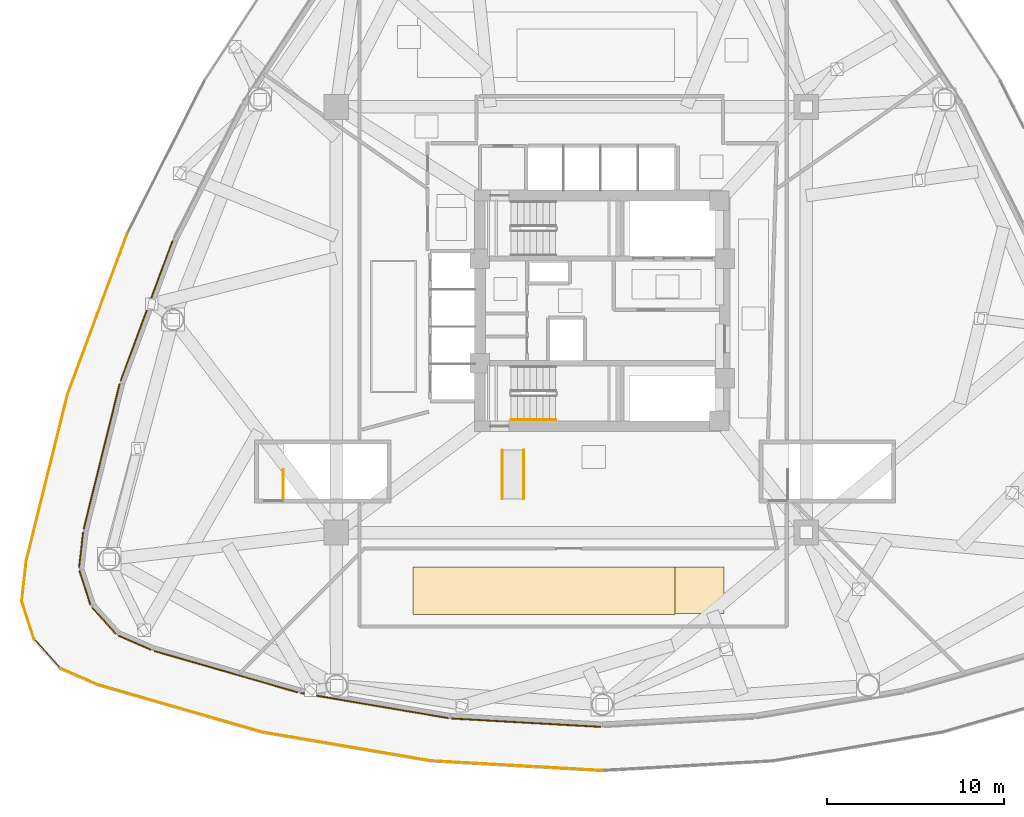
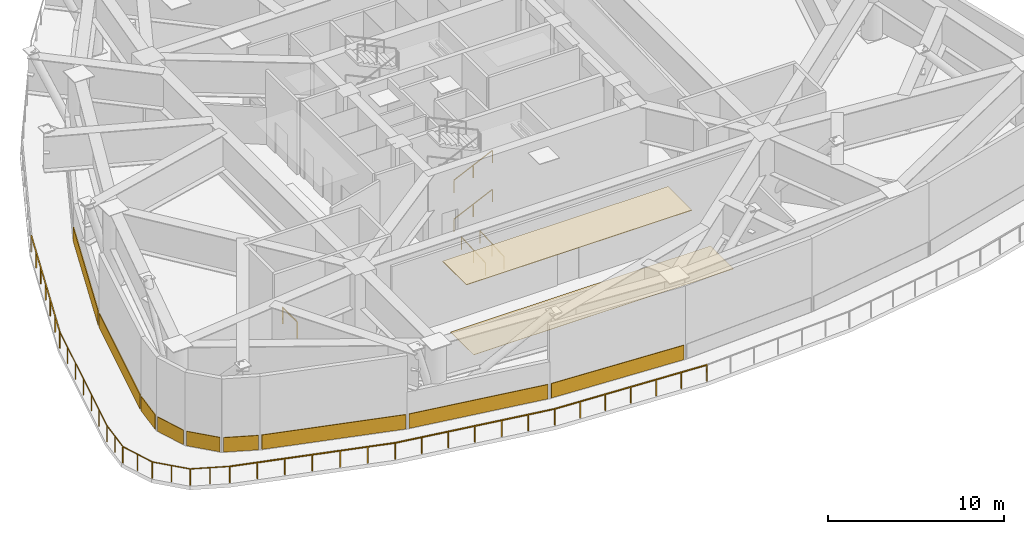
# One storey, part 6 of 9: 14 railings, 11 coverings.
"""IFC4 building model written with IfcOpenShell, lengths in metres."""

from ifc_helpers import new_model, si_unit, direction, frame, origin, origin_2d, place, context, subcontext, project, spatial, polyline, rectangle, outline, extrude, material, layer, layer_set, type_object, element, save


model = new_model("IFC4")

# Units and contexts
model_context = context("Model", 3, precision=1e-05, world=origin(), true_north=direction((0.0, 1.0)))
body_context = subcontext(model_context, "Body", "Model", "MODEL_VIEW")
ifc_project = project(units=[si_unit("LENGTHUNIT", "METRE"), si_unit("AREAUNIT", "SQUARE_METRE"), si_unit("VOLUMEUNIT", "CUBIC_METRE"), si_unit("PLANEANGLEUNIT", "RADIAN"), si_unit("MASSUNIT", "GRAM", prefix="KILO")], contexts=[model_context])

# Site, building, storey
site_placement = place(None, origin())
site = spatial("IfcSite", under=ifc_project, at=site_placement, CompositionType="ELEMENT")
building_placement = place(site_placement, origin())
building = spatial("IfcBuilding", under=site, at=building_placement, Name="Tavelor Broadcast Tower", CompositionType="ELEMENT")
storey_placement = place(building_placement, frame((0.0, 0.0, 22.199951171875)))
storey = spatial("IfcBuildingStorey", under=building, at=storey_placement, Name="L04", CompositionType="ELEMENT", Elevation=22.199951171875)

# Railings
ifc_material_1 = material(Name="Steel S355", Category="steel")
railing_type_1 = type_object("IfcRailingType", Name="Continuous Brushed Stainless Handrail 900 mm", PredefinedType="HANDRAIL", material=ifc_material_1)
railing_1_placement = place(storey_placement, frame((44.85009765625, 38.85009765625, 0.168701171875)))
element("IfcRailing", 1, at=railing_1_placement, inside=storey, type_object=railing_type_1, Name="L04 ST2 stair handrail 1", PredefinedType="HANDRAIL", context=body_context, shape_type="SweptSolid", body=[
    extrude(rectangle(XDim=0.048095703125, YDim=0.048095703125, at=origin_2d()), frame((0.0, 0.0, 0.8759765625), z_axis=(0.905439972488, 0.0, 0.424474329284), x_axis=(0.0, 1.0, 0.0)), (0.0, 0.0, 1.0), 2.783203125),
    extrude(rectangle(XDim=0.0419921875, YDim=0.0419921875, at=origin_2d()), origin(), (0.0, 0.0, 1.0), 0.851806640625),
    extrude(rectangle(XDim=0.0419921875, YDim=0.0419921875, at=origin_2d()), frame((1.260009765625, 0.0, 0.5908203125)), (0.0, 0.0, 1.0), 0.851806640625),
    extrude(rectangle(XDim=0.0419921875, YDim=0.0419921875, at=origin_2d()), frame((2.52001953125, 0.0, 1.181396484375)), (0.0, 0.0, 1.0), 0.851806640625),
])
railing_2_placement = place(storey_placement, frame((44.85009765625, 38.85009765625, 2.868896484375)))
element("IfcRailing", 2, at=railing_2_placement, inside=storey, type_object=railing_type_1, Name="L04 ST2 stair handrail 3", PredefinedType="HANDRAIL", context=body_context, shape_type="SweptSolid", body=[
    extrude(rectangle(XDim=0.048095703125, YDim=0.048095703125, at=origin_2d()), frame((0.0, 0.0, 0.8759765625), z_axis=(0.905473684625, 0.0, 0.424402410988), x_axis=(0.0, 1.0, 0.0)), (0.0, 0.0, 1.0), 2.783203125),
    extrude(rectangle(XDim=0.0419921875, YDim=0.0419921875, at=origin_2d()), origin(), (0.0, 0.0, 1.0), 0.851806640625),
    extrude(rectangle(XDim=0.0419921875, YDim=0.0419921875, at=origin_2d()), frame((1.260009765625, 0.0, 0.590576171875)), (0.0, 0.0, 1.0), 0.851806640625),
    extrude(rectangle(XDim=0.0419921875, YDim=0.0419921875, at=origin_2d()), frame((2.52001953125, 0.0, 1.18115234375)), (0.0, 0.0, 1.0), 0.851806640625),
])
for number, where, name in (
    (3, (44.35009765625, 34.39990234375, 0.0), "L04 Accessible Ramp Left Handrail"),
    (4, (45.570068359375, 34.39990234375, 0.0), "L04 Accessible Ramp Right Handrail"),
):
    element("IfcRailing", number, at=place(storey_placement, frame(where)), inside=storey, type_object=railing_type_1, Name=name, PredefinedType="HANDRAIL", context=body_context, shape_type="SweptSolid", body=[
        extrude(rectangle(XDim=0.048095703125, YDim=0.048095703125, at=origin_2d()), frame((0.0, 0.0, 0.8759765625), z_axis=(0.0, 0.998704123308, 0.050892770488), x_axis=(-1.0, 0.0, 0.0)), (0.0, 0.0, 1.0), 2.753662109375),
        extrude(rectangle(XDim=0.0419921875, YDim=0.0419921875, at=origin_2d()), origin(), (0.0, 0.0, 1.0), 0.851806640625),
        extrude(rectangle(XDim=0.0419921875, YDim=0.0419921875, at=origin_2d()), frame((0.0, 1.375, 0.070068359375)), (0.0, 0.0, 1.0), 0.851806640625),
        extrude(rectangle(XDim=0.0419921875, YDim=0.0419921875, at=origin_2d()), frame((0.0, 2.75, 0.14013671875)), (0.0, 0.0, 1.0), 0.851806640625),
    ])

# Covering
ifc_material_2 = material(Name="Acoustic Nylon Carpet Tile")
ifc_layer_1 = layer(ifc_material_2, 0.02001953125)
ifc_layer_set_1 = layer_set([ifc_layer_1], Name="Acoustic Nylon Carpet Tile")
covering_type_1 = type_object("IfcCoveringType", Name="Heavy-Duty Acoustic Broadcast Carpet Tile 20 mm", PredefinedType="FLOORING", material=ifc_layer_set_1)
covering_1_placement = place(storey_placement, origin())
element("IfcCovering", 5, at=covering_1_placement, inside=storey, type_object=covering_type_1, Name="L04 Broadcast Floor Finish 0047", PredefinedType="FLOORING", context=body_context, shape_type="SweptSolid", body=[
    extrude(outline(polyline([(39.833740234375, 27.930419921875), (56.8662109375, 27.930419921875), (56.8662109375, 30.544189453125), (39.833740234375, 30.544189453125), (39.833740234375, 27.930419921875)])), origin(), (0.0, 0.0, 1.0), 0.02001953125),
])

# Railings
railing_type_2 = type_object("IfcRailingType", Name="Planted Terrace Laminated Glass Balustrade 1150 mm", PredefinedType="BALUSTRADE", material=ifc_material_1)
railing_3_placement = place(storey_placement, frame((23.209716796875, 49.335693359375, 0.0)))
element("IfcRailing", 6, at=railing_3_placement, inside=storey, type_object=railing_type_2, Name="L04 Cascading Garden Terrace 1 Balustrade #102", PredefinedType="BALUSTRADE", context=body_context, shape_type="SweptSolid", body=[
    extrude(rectangle(XDim=0.048095703125, YDim=0.048095703125, at=origin_2d()), frame((0.0, 0.0, 1.1259765625), z_axis=(-0.347785351631, -0.9375741833, 0.0), x_axis=(0.9375741833, -0.347785351631, 0.0)), (0.0, 0.0, 1.0), 9.672607421875),
    extrude(rectangle(XDim=0.0419921875, YDim=0.0419921875, at=origin_2d()), origin(), (0.0, 0.0, 1.0), 1.101806640625),
    extrude(rectangle(XDim=0.0419921875, YDim=0.0419921875, at=origin_2d()), frame((-0.560546875, -1.511474609375, 0.0)), (0.0, 0.0, 1.0), 1.101806640625),
    extrude(rectangle(XDim=0.0419921875, YDim=0.0419921875, at=origin_2d()), frame((-1.121337890625, -3.02294921875, 0.0)), (0.0, 0.0, 1.0), 1.101806640625),
    extrude(rectangle(XDim=0.0419921875, YDim=0.0419921875, at=origin_2d()), frame((-1.68212890625, -4.534423828125, 0.0)), (0.0, 0.0, 1.0), 1.101806640625),
    extrude(rectangle(XDim=0.0419921875, YDim=0.0419921875, at=origin_2d()), frame((-2.24267578125, -6.0458984375, 0.0)), (0.0, 0.0, 1.0), 1.101806640625),
    extrude(rectangle(XDim=0.0419921875, YDim=0.0419921875, at=origin_2d()), frame((-2.80322265625, -7.557373046875, 0.0)), (0.0, 0.0, 1.0), 1.101806640625),
    extrude(rectangle(XDim=0.0419921875, YDim=0.0419921875, at=origin_2d()), frame((-3.364013671875, -9.06884765625, 0.0)), (0.0, 0.0, 1.0), 1.101806640625),
])
railing_4_placement = place(storey_placement, frame((19.848876953125, 40.277587890625, 0.0)))
element("IfcRailing", 7, at=railing_4_placement, inside=storey, type_object=railing_type_2, Name="L04 Cascading Garden Terrace 1 Balustrade #103", PredefinedType="BALUSTRADE", context=body_context, shape_type="SweptSolid", body=[
    extrude(rectangle(XDim=0.048095703125, YDim=0.048095703125, at=origin_2d()), frame((0.0, 0.0, 1.1259765625), z_axis=(-0.240545540142, -0.970637853742, 0.0), x_axis=(0.970637853742, -0.240545540142, 0.0)), (0.0, 0.0, 1.0), 9.67236328125),
    extrude(rectangle(XDim=0.0419921875, YDim=0.0419921875, at=origin_2d()), origin(), (0.0, 0.0, 1.0), 1.101806640625),
    extrude(rectangle(XDim=0.0419921875, YDim=0.0419921875, at=origin_2d()), frame((-0.3876953125, -1.564697265625, 0.0)), (0.0, 0.0, 1.0), 1.101806640625),
    extrude(rectangle(XDim=0.0419921875, YDim=0.0419921875, at=origin_2d()), frame((-0.775634765625, -3.12939453125, 0.0)), (0.0, 0.0, 1.0), 1.101806640625),
    extrude(rectangle(XDim=0.0419921875, YDim=0.0419921875, at=origin_2d()), frame((-1.163330078125, -4.6943359375, 0.0)), (0.0, 0.0, 1.0), 1.101806640625),
    extrude(rectangle(XDim=0.0419921875, YDim=0.0419921875, at=origin_2d()), frame((-1.551025390625, -6.259033203125, 0.0)), (0.0, 0.0, 1.0), 1.101806640625),
    extrude(rectangle(XDim=0.0419921875, YDim=0.0419921875, at=origin_2d()), frame((-1.93896484375, -7.82373046875, 0.0)), (0.0, 0.0, 1.0), 1.101806640625),
    extrude(rectangle(XDim=0.0419921875, YDim=0.0419921875, at=origin_2d()), frame((-2.32666015625, -9.388427734375, 0.0)), (0.0, 0.0, 1.0), 1.101806640625),
])
railing_5_placement = place(storey_placement, frame((17.5244140625, 30.902099609375, 0.0)))
element("IfcRailing", 8, at=railing_5_placement, inside=storey, type_object=railing_type_2, Name="L04 Cascading Garden Terrace 1 Balustrade #104", PredefinedType="BALUSTRADE", context=body_context, shape_type="SweptSolid", body=[
    extrude(rectangle(XDim=0.048095703125, YDim=0.048095703125, at=origin_2d()), frame((0.0, 0.0, 1.1259765625), z_axis=(-0.112381956405, -0.993665082346, 0.0), x_axis=(0.993665082346, -0.112381956405, 0.0)), (0.0, 0.0, 1.0), 2.294189453125),
    extrude(rectangle(XDim=0.0419921875, YDim=0.0419921875, at=origin_2d()), origin(), (0.0, 0.0, 1.0), 1.101806640625),
    extrude(rectangle(XDim=0.0419921875, YDim=0.0419921875, at=origin_2d()), frame((-0.12890625, -1.1396484375, 0.0)), (0.0, 0.0, 1.0), 1.101806640625),
    extrude(rectangle(XDim=0.0419921875, YDim=0.0419921875, at=origin_2d()), frame((-0.2578125, -2.279541015625, 0.0)), (0.0, 0.0, 1.0), 1.101806640625),
])
railing_6_placement = place(storey_placement, frame((17.262451171875, 28.664306640625, 0.0)))
element("IfcRailing", 9, at=railing_6_placement, inside=storey, type_object=railing_type_2, Name="L04 Cascading Garden Terrace 1 Balustrade #105", PredefinedType="BALUSTRADE", context=body_context, shape_type="SweptSolid", body=[
    extrude(rectangle(XDim=0.048095703125, YDim=0.048095703125, at=origin_2d()), frame((0.0, 0.0, 1.1259765625), z_axis=(0.306601639197, -0.951837924671, 0.0), x_axis=(0.951837924671, 0.306601639197, 0.0)), (0.0, 0.0, 1.0), 2.294189453125),
    extrude(rectangle(XDim=0.0419921875, YDim=0.0419921875, at=origin_2d()), origin(), (0.0, 0.0, 1.0), 1.101806640625),
    extrude(rectangle(XDim=0.0419921875, YDim=0.0419921875, at=origin_2d()), frame((0.3515625, -1.091796875, 0.0)), (0.0, 0.0, 1.0), 1.101806640625),
    extrude(rectangle(XDim=0.0419921875, YDim=0.0419921875, at=origin_2d()), frame((0.703369140625, -2.18359375, 0.0)), (0.0, 0.0, 1.0), 1.101806640625),
])
railing_7_placement = place(storey_placement, frame((17.944580078125, 26.51708984375, 0.0)))
element("IfcRailing", 10, at=railing_7_placement, inside=storey, type_object=railing_type_2, Name="L04 Cascading Garden Terrace 1 Balustrade #106", PredefinedType="BALUSTRADE", context=body_context, shape_type="SweptSolid", body=[
    extrude(rectangle(XDim=0.048095703125, YDim=0.048095703125, at=origin_2d()), frame((0.0, 0.0, 1.1259765625), z_axis=(0.671060993092, -0.741402146983, 0.0), x_axis=(0.741402146983, 0.671060993092, 0.0)), (0.0, 0.0, 1.0), 2.294189453125),
    extrude(rectangle(XDim=0.0419921875, YDim=0.0419921875, at=origin_2d()), origin(), (0.0, 0.0, 1.0), 1.101806640625),
    extrude(rectangle(XDim=0.0419921875, YDim=0.0419921875, at=origin_2d()), frame((0.769775390625, -0.8505859375, 0.0)), (0.0, 0.0, 1.0), 1.101806640625),
    extrude(rectangle(XDim=0.0419921875, YDim=0.0419921875, at=origin_2d()), frame((1.53955078125, -1.700927734375, 0.0)), (0.0, 0.0, 1.0), 1.101806640625),
])
railing_8_placement = place(storey_placement, frame((19.449951171875, 24.8408203125, 0.0)))
element("IfcRailing", 11, at=railing_8_placement, inside=storey, type_object=railing_type_2, Name="L04 Cascading Garden Terrace 1 Balustrade #107", PredefinedType="BALUSTRADE", context=body_context, shape_type="SweptSolid", body=[
    extrude(rectangle(XDim=0.048095703125, YDim=0.048095703125, at=origin_2d()), frame((0.0, 0.0, 1.1259765625), z_axis=(0.916727947477, -0.399512040263, 0.0), x_axis=(0.399512040263, 0.916727947477, 0.0)), (0.0, 0.0, 1.0), 2.2939453125),
    extrude(rectangle(XDim=0.0419921875, YDim=0.0419921875, at=origin_2d()), origin(), (0.0, 0.0, 1.0), 1.101806640625),
    extrude(rectangle(XDim=0.0419921875, YDim=0.0419921875, at=origin_2d()), frame((1.051513671875, -0.458251953125, 0.0)), (0.0, 0.0, 1.0), 1.101806640625),
    extrude(rectangle(XDim=0.0419921875, YDim=0.0419921875, at=origin_2d()), frame((2.10302734375, -0.91650390625, 0.0)), (0.0, 0.0, 1.0), 1.101806640625),
])
railing_9_placement = place(storey_placement, frame((21.540771484375, 23.9287109375, 0.0)))
element("IfcRailing", 12, at=railing_9_placement, inside=storey, type_object=railing_type_2, Name="L04 Cascading Garden Terrace 1 Balustrade #108", PredefinedType="BALUSTRADE", context=body_context, shape_type="SweptSolid", body=[
    extrude(rectangle(XDim=0.048095703125, YDim=0.048095703125, at=origin_2d()), frame((0.0, 0.0, 1.1259765625), z_axis=(0.960871662886, -0.276993948422, 0.0), x_axis=(0.276993948422, 0.960871662886, 0.0)), (0.0, 0.0, 1.0), 9.67236328125),
    extrude(rectangle(XDim=0.0419921875, YDim=0.0419921875, at=origin_2d()), origin(), (0.0, 0.0, 1.0), 1.101806640625),
    extrude(rectangle(XDim=0.0419921875, YDim=0.0419921875, at=origin_2d()), frame((1.549072265625, -0.446533203125, 0.0)), (0.0, 0.0, 1.0), 1.101806640625),
    extrude(rectangle(XDim=0.0419921875, YDim=0.0419921875, at=origin_2d()), frame((3.097900390625, -0.89306640625, 0.0)), (0.0, 0.0, 1.0), 1.101806640625),
    extrude(rectangle(XDim=0.0419921875, YDim=0.0419921875, at=origin_2d()), frame((4.64697265625, -1.339599609375, 0.0)), (0.0, 0.0, 1.0), 1.101806640625),
    extrude(rectangle(XDim=0.0419921875, YDim=0.0419921875, at=origin_2d()), frame((6.196044921875, -1.7861328125, 0.0)), (0.0, 0.0, 1.0), 1.101806640625),
    extrude(rectangle(XDim=0.0419921875, YDim=0.0419921875, at=origin_2d()), frame((7.744873046875, -2.232666015625, 0.0)), (0.0, 0.0, 1.0), 1.101806640625),
    extrude(rectangle(XDim=0.0419921875, YDim=0.0419921875, at=origin_2d()), frame((9.2939453125, -2.67919921875, 0.0)), (0.0, 0.0, 1.0), 1.101806640625),
])
railing_10_placement = place(storey_placement, frame((30.823974609375, 21.251953125, 0.0)))
element("IfcRailing", 13, at=railing_10_placement, inside=storey, type_object=railing_type_2, Name="L04 Cascading Garden Terrace 1 Balustrade #109", PredefinedType="BALUSTRADE", context=body_context, shape_type="SweptSolid", body=[
    extrude(rectangle(XDim=0.048095703125, YDim=0.048095703125, at=origin_2d()), frame((0.0, 0.0, 1.1259765625), z_axis=(0.985859433013, -0.16757439643, 0.0), x_axis=(0.16757439643, 0.985859433013, 0.0)), (0.0, 0.0, 1.0), 9.67236328125),
    extrude(rectangle(XDim=0.0419921875, YDim=0.0419921875, at=origin_2d()), origin(), (0.0, 0.0, 1.0), 1.101806640625),
    extrude(rectangle(XDim=0.0419921875, YDim=0.0419921875, at=origin_2d()), frame((1.58935546875, -0.27001953125, 0.0)), (0.0, 0.0, 1.0), 1.101806640625),
    extrude(rectangle(XDim=0.0419921875, YDim=0.0419921875, at=origin_2d()), frame((3.178466796875, -0.540283203125, 0.0)), (0.0, 0.0, 1.0), 1.101806640625),
    extrude(rectangle(XDim=0.0419921875, YDim=0.0419921875, at=origin_2d()), frame((4.767822265625, -0.810546875, 0.0)), (0.0, 0.0, 1.0), 1.101806640625),
    extrude(rectangle(XDim=0.0419921875, YDim=0.0419921875, at=origin_2d()), frame((6.357177734375, -1.08056640625, 0.0)), (0.0, 0.0, 1.0), 1.101806640625),
    extrude(rectangle(XDim=0.0419921875, YDim=0.0419921875, at=origin_2d()), frame((7.9462890625, -1.3505859375, 0.0)), (0.0, 0.0, 1.0), 1.101806640625),
    extrude(rectangle(XDim=0.0419921875, YDim=0.0419921875, at=origin_2d()), frame((9.53564453125, -1.620849609375, 0.0)), (0.0, 0.0, 1.0), 1.101806640625),
])
railing_11_placement = place(storey_placement, frame((40.348388671875, 19.632080078125, 0.0)))
element("IfcRailing", 14, at=railing_11_placement, inside=storey, type_object=railing_type_2, Name="L04 Cascading Garden Terrace 1 Balustrade #110", PredefinedType="BALUSTRADE", context=body_context, shape_type="SweptSolid", body=[
    extrude(rectangle(XDim=0.048095703125, YDim=0.048095703125, at=origin_2d()), frame((0.0, 0.0, 1.1259765625), z_axis=(0.998425991549, -0.056085108535, 0.0), x_axis=(0.056085108535, 0.998425991549, 0.0)), (0.0, 0.0, 1.0), 9.67236328125),
    extrude(rectangle(XDim=0.0419921875, YDim=0.0419921875, at=origin_2d()), origin(), (0.0, 0.0, 1.0), 1.101806640625),
    extrude(rectangle(XDim=0.0419921875, YDim=0.0419921875, at=origin_2d()), frame((1.609619140625, -0.09033203125, 0.0)), (0.0, 0.0, 1.0), 1.101806640625),
    extrude(rectangle(XDim=0.0419921875, YDim=0.0419921875, at=origin_2d()), frame((3.218994140625, -0.180908203125, 0.0)), (0.0, 0.0, 1.0), 1.101806640625),
    extrude(rectangle(XDim=0.0419921875, YDim=0.0419921875, at=origin_2d()), frame((4.82861328125, -0.271240234375, 0.0)), (0.0, 0.0, 1.0), 1.101806640625),
    extrude(rectangle(XDim=0.0419921875, YDim=0.0419921875, at=origin_2d()), frame((6.438232421875, -0.361572265625, 0.0)), (0.0, 0.0, 1.0), 1.101806640625),
    extrude(rectangle(XDim=0.0419921875, YDim=0.0419921875, at=origin_2d()), frame((8.047607421875, -0.4521484375, 0.0)), (0.0, 0.0, 1.0), 1.101806640625),
    extrude(rectangle(XDim=0.0419921875, YDim=0.0419921875, at=origin_2d()), frame((9.6572265625, -0.54248046875, 0.0)), (0.0, 0.0, 1.0), 1.101806640625),
])

# Coverings
ifc_material_3 = material(Name="Kiln-Fired Glazed Terracotta", Category="masonry")
ifc_layer_2 = layer(ifc_material_3, 0.06494140625)
ifc_layer_set_2 = layer_set([ifc_layer_2], Name="Kiln-Fired Glazed Terracotta")
covering_type_2 = type_object("IfcCoveringType", Name="Ribbed Terracotta Rainscreen Spandrel Cladding 65 mm", PredefinedType="CLADDING", material=ifc_layer_set_2)
for number, where, z_axis, x_axis, name in (
    (15, (24.3056640625, 45.004638671875, 0.050048828125), (0.0, 0.0, 1.0), (-0.347753981862, -0.937585819058, 0.0), "L04 Terracotta Spandrel Rainscreen 09"),
    (16, (21.772216796875, 36.7880859375, 0.050048828125), (0.0, 0.0, 1.0), (-0.240566871809, -0.970632567035, 0.0), "L04 Terracotta Spandrel Rainscreen 10"),
):
    element("IfcCovering", number, at=place(storey_placement, frame(where, z_axis=z_axis, x_axis=x_axis)), inside=storey, type_object=covering_type_2, Name=name, PredefinedType="CLADDING", context=body_context, shape_type="SweptSolid", body=[
        extrude(rectangle(XDim=8.411865234375, YDim=0.06494140625, at=origin_2d()), origin(), (0.0, 0.0, 1.0), 1.0),
    ])
for number, where, z_axis, x_axis, name in (
    (17, (20.61328125, 31.52099609375, 0.050048828125), (0.0, 0.0, 1.0), (-0.112336115762, -0.99367026578, 0.0), "L04 Terracotta Spandrel Rainscreen 11"),
    (18, (20.825927734375, 29.391845703125, 0.050048828125), (0.0, 0.0, 1.0), (0.306526078098, -0.951862260753, 0.0), "L04 Terracotta Spandrel Rainscreen 12"),
    (19, (21.895751953125, 27.53857421875, 0.050048828125), (0.0, 0.0, 1.0), (0.671073859667, -0.741390500932, 0.0), "L04 Terracotta Spandrel Rainscreen 13"),
    (20, (23.633544921875, 26.289794921875, 0.050048828125), (0.0, 0.0, 1.0), (0.916711751032, -0.399549202878, 0.0), "L04 Terracotta Spandrel Rainscreen 14"),
):
    element("IfcCovering", number, at=place(storey_placement, frame(where, z_axis=z_axis, x_axis=x_axis)), inside=storey, type_object=covering_type_2, Name=name, PredefinedType="CLADDING", context=body_context, shape_type="SweptSolid", body=[
        extrude(rectangle(XDim=1.989013671875, YDim=0.06494140625, at=origin_2d()), origin(), (0.0, 0.0, 1.0), 1.0),
    ])
covering_2_placement = place(storey_placement, frame((28.7744140625, 24.659912109375, 0.050048828125), z_axis=(0.0, 0.0, 1.0), x_axis=(0.960875896697, -0.276979261222, 0.0)))
element("IfcCovering", 21, at=covering_2_placement, inside=storey, type_object=covering_type_2, Name="L04 Terracotta Spandrel Rainscreen 15", PredefinedType="CLADDING", context=body_context, shape_type="SweptSolid", body=[
    extrude(rectangle(XDim=8.41162109375, YDim=0.06494140625, at=origin_2d()), origin(), (0.0, 0.0, 1.0), 1.0),
])
for number, where, z_axis, x_axis, name in (
    (22, (37.15673828125, 22.74560546875, 0.050048828125), (0.0, 0.0, 1.0), (0.985850128464, -0.167629126969, 0.0), "L04 Terracotta Spandrel Rainscreen 16"),
    (23, (45.700927734375, 21.782470703125, 0.050048828125), (0.0, 0.0, 1.0), (0.998421217973, -0.05617002316, 0.0), "L04 Terracotta Spandrel Rainscreen 17"),
):
    element("IfcCovering", number, at=place(storey_placement, frame(where, z_axis=z_axis, x_axis=x_axis)), inside=storey, type_object=covering_type_2, Name=name, PredefinedType="CLADDING", context=body_context, shape_type="SweptSolid", body=[
        extrude(rectangle(XDim=8.411865234375, YDim=0.06494140625, at=origin_2d()), origin(), (0.0, 0.0, 1.0), 1.0),
    ])

# Railing
railing_type_3 = type_object("IfcRailingType", Name="Stairwell Steel Safety Guardrail 1150 mm", PredefinedType="GUARDRAIL", material=ifc_material_1)
railing_12_placement = place(storey_placement, frame((32.0, 34.39990234375, 0.0)))
element("IfcRailing", 24, at=railing_12_placement, inside=storey, type_object=railing_type_3, Name="L04 ST3 top well guard 1", PredefinedType="GUARDRAIL", context=body_context, shape_type="SweptSolid", body=[
    extrude(rectangle(XDim=0.048095703125, YDim=0.048095703125, at=origin_2d()), frame((0.0, 0.0, 1.1259765625), z_axis=(0.0, 1.0, 0.0), x_axis=(-1.0, 0.0, 0.0)), (0.0, 0.0, 1.0), 1.650146484375),
    extrude(rectangle(XDim=0.0419921875, YDim=0.0419921875, at=origin_2d()), origin(), (0.0, 0.0, 1.0), 1.101806640625),
    extrude(rectangle(XDim=0.0419921875, YDim=0.0419921875, at=origin_2d()), frame((0.0, 1.650146484375, 0.0)), (0.0, 0.0, 1.0), 1.101806640625),
])

# Covering
ifc_material_4 = material(Name="Acoustic Mineral Fibre Tile")
ifc_layer_3 = layer(ifc_material_4, 0.0400390625)
ifc_layer_set_3 = layer_set([ifc_layer_3], Name="Acoustic Mineral Fibre Tile")
covering_type_3 = type_object("IfcCoveringType", Name="Suspended Acoustic Mineral-Fibre Office Ceiling 40 mm", PredefinedType="CEILING", material=ifc_layer_set_3)
covering_3_placement = place(storey_placement, frame((0.0, 0.0, 5.06005859375)))
element("IfcCovering", 25, at=covering_3_placement, inside=storey, type_object=covering_type_3, Name="L04 Suspended Acoustic Ceiling 0109", PredefinedType="CEILING", context=body_context, shape_type="SweptSolid", body=[
    extrude(outline(polyline([(39.315673828125, 27.8662109375), (54.094482421875, 27.8662109375), (54.094482421875, 30.5615234375), (39.315673828125, 30.5615234375), (39.315673828125, 27.8662109375)])), origin(), (0.0, 0.0, 1.0), 0.0400390625),
])

save(model, "model.ifc")
